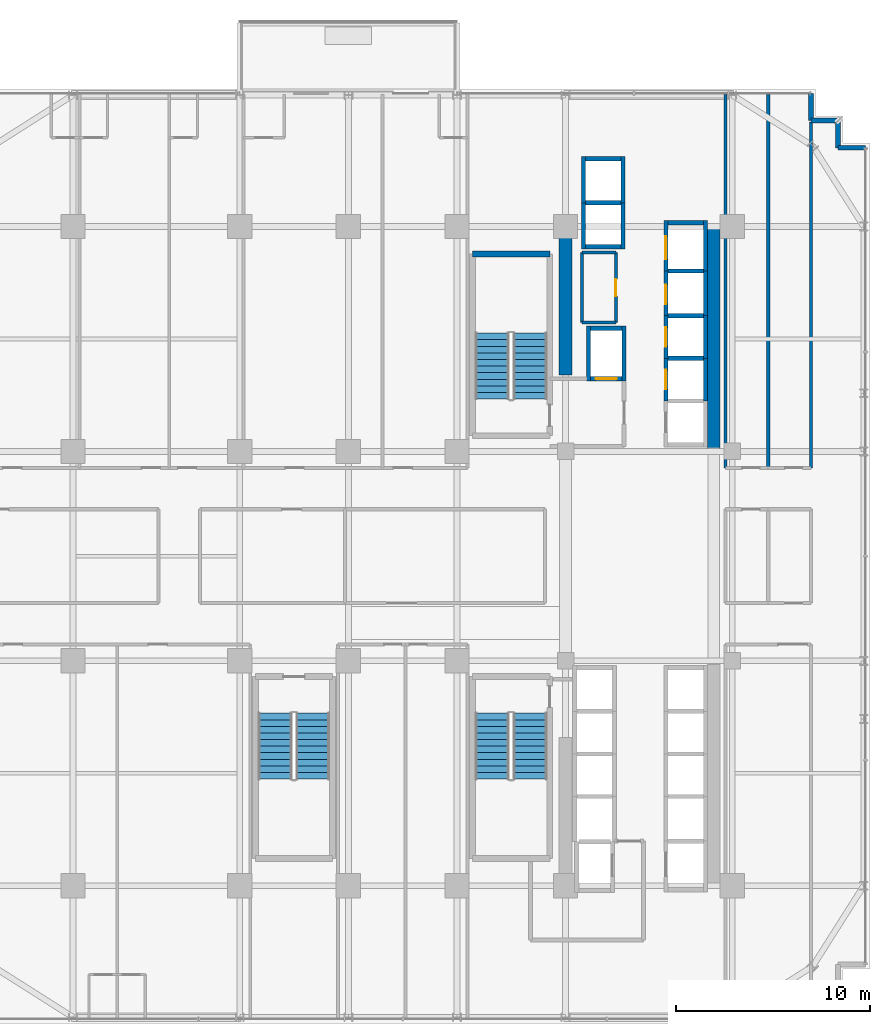
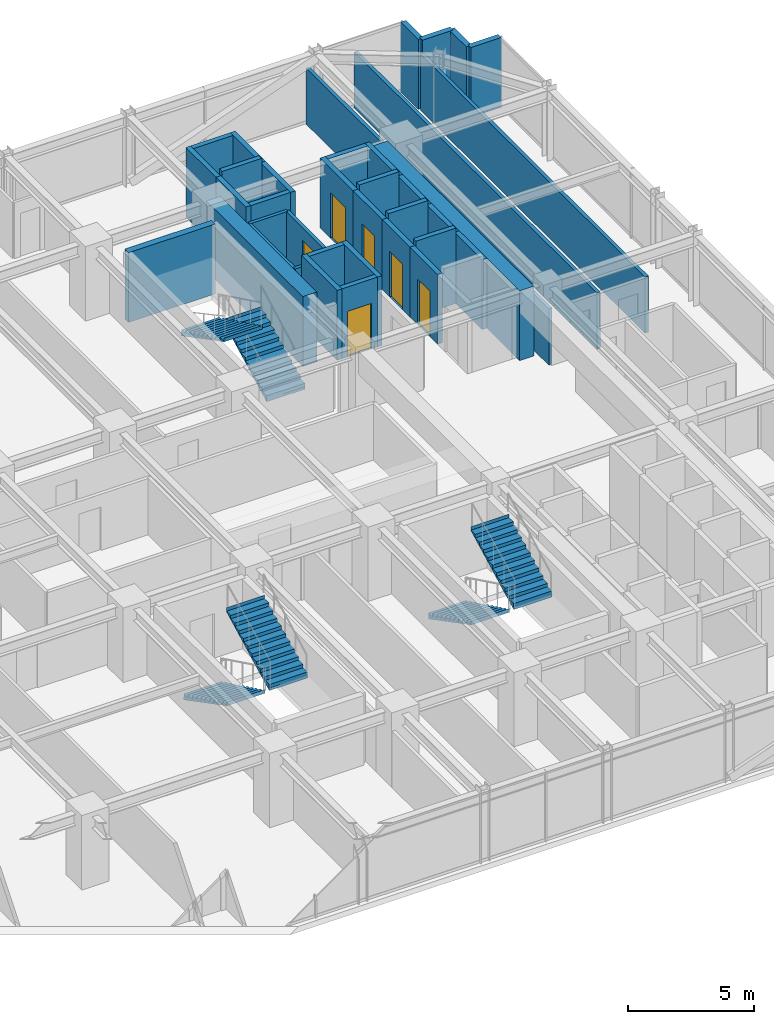
# One storey, part 35 of 40: 37 walls, 6 doors, 6 stair flights, 6 openings, 3 elements without a shape of their own.
"""IFC4 building model written with IfcOpenShell, lengths in metres."""

from ifc_helpers import new_model, si_unit, direction, frame, frame_2d, origin, place, context, subcontext, project, spatial, polyline, rectangle, outline, extrude, source, transform, mapped, material, layer, layer_set, type_object, element, fill, aggregate, save


model = new_model("IFC4")

# Units and contexts
model_context = context("Model", 3, precision=1e-05, world=origin(), true_north=direction((0.0, 1.0)))
body_context = subcontext(model_context, "Body", "Model", "MODEL_VIEW")
ifc_project = project(units=[si_unit("LENGTHUNIT", "METRE"), si_unit("AREAUNIT", "SQUARE_METRE"), si_unit("VOLUMEUNIT", "CUBIC_METRE"), si_unit("PLANEANGLEUNIT", "RADIAN"), si_unit("MASSUNIT", "GRAM", prefix="KILO")], contexts=[model_context])

# Site, building, storey
site_placement = place(None, origin())
site = spatial("IfcSite", under=ifc_project, at=site_placement, CompositionType="ELEMENT")
building_placement = place(site_placement, origin())
building = spatial("IfcBuilding", under=site, at=building_placement, Name="Nahalor Promenade Grand Hotel", CompositionType="ELEMENT")
storey_placement = place(building_placement, frame((0.0, 0.0, 91.949951171875)))
storey = spatial("IfcBuildingStorey", under=building, at=storey_placement, Name="L22", CompositionType="ELEMENT", Elevation=91.949951171875)

# Walls
ifc_material_1 = material(Name="Concrete B-60 (C50/60)", Category="concrete")
ifc_layer_1 = layer(ifc_material_1, 0.64990234375)
ifc_layer_set_1 = layer_set([ifc_layer_1], Name="Concrete B-60 (C50/60)")
wall_type_1 = type_object("IfcWallType", Name="Wall-CoreShear-650", PredefinedType="SHEAR", material=ifc_layer_set_1)
shared_shape_1 = source(origin(), body_context, "Body", "SweptSolid", [
    extrude(rectangle(XDim=7.64990234375, YDim=0.64990234375, at=frame_2d((3.824951171875, 0.0))), origin(), (0.0, 0.0, 1.0), 3.380126953125),
])
wall_1_placement = place(storey_placement, frame((8.39990234375, 9.35009765625, 0.0), z_axis=(0.0, 0.0, 1.0), x_axis=(0.0, 1.0, 0.0)))
element("IfcWall", 1, at=wall_1_placement, inside=storey, type_object=wall_type_1, Name="CWALL-L22-NW", PredefinedType="SHEAR", context=body_context, shape_type="MappedRepresentation", body=[
    mapped(shared_shape_1, transform((0.0, 0.0, 0.0), scale=1.0)),
])
shared_shape_2 = source(origin(), body_context, "Body", "SweptSolid", [
    extrude(rectangle(XDim=11.60009765625, YDim=0.64990234375, at=frame_2d((5.800048828125, 0.0))), origin(), (0.0, 0.0, 1.0), 3.380126953125),
])
wall_2_placement = place(storey_placement, frame((16.050048828125, 5.39990234375, 0.0), z_axis=(0.0, 0.0, 1.0), x_axis=(0.0, 1.0, 0.0)))
element("IfcWall", 2, at=wall_2_placement, inside=storey, type_object=wall_type_1, Name="CWALL-L22-NE", PredefinedType="SHEAR", context=body_context, shape_type="MappedRepresentation", body=[
    mapped(shared_shape_2, transform((0.0, 0.0, 0.0), scale=1.0)),
])
ifc_material_2 = material(Name="Concrete B-50 (C40/50)", Category="concrete")
ifc_layer_2 = layer(ifc_material_2, 0.300048828125)
ifc_layer_set_2 = layer_set([ifc_layer_2], Name="Concrete B-50 (C40/50)")
wall_type_2 = type_object("IfcWallType", Name="Wall-ShaftShear-300", PredefinedType="SHEAR", material=ifc_layer_set_2)
shared_shape_3 = source(origin(), body_context, "Body", "SweptSolid", [
    extrude(rectangle(XDim=3.97998046875, YDim=0.300048828125, at=frame_2d((1.989990234375, 0.0))), origin(), (0.0, 0.0, 1.0), 3.380126953125),
])
wall_3_placement = place(storey_placement, frame((3.610107421875, 15.590087890625, 0.0), z_axis=(0.0, 0.0, 1.0), x_axis=(1.0, 0.0, 0.0)))
element("IfcWall", 3, at=wall_3_placement, inside=storey, type_object=wall_type_2, Name="L22 Exit Stair ST1 Shaft Wall N", PredefinedType="SHEAR", context=body_context, shape_type="MappedRepresentation", body=[
    mapped(shared_shape_3, transform((0.0, 0.0, 0.0), scale=1.0)),
])
ifc_layer_3 = layer(ifc_material_2, 0.219970703125)
ifc_layer_set_3 = layer_set([ifc_layer_3], Name="Concrete B-50 (C40/50)")
wall_type_3 = type_object("IfcWallType", Name="Wall-LiftShaft-220", PredefinedType="SHEAR", material=ifc_layer_set_3)
shared_shape_4 = source(origin(), body_context, "Body", "SweptSolid", [
    extrude(rectangle(XDim=1.820068359375, YDim=0.219970703125, at=frame_2d((0.91015625, 0.0))), origin(), (0.0, 0.0, 1.0), 3.650146484375),
])
for number, where, z_axis, x_axis, name in (
    (4, (13.68994140625, 10.199951171875, 0.0), (0.0, 0.0, 1.0), (1.0, 0.0, 0.0), "L22 Lift PL2 Hoistway Wall N"),
    (5, (13.68994140625, 12.39990234375, 0.0), (0.0, 0.0, 1.0), (1.0, 0.0, 0.0), "L22 Lift PL3 Hoistway Wall N"),
    (6, (13.68994140625, 14.699951171875, 0.0), (0.0, 0.0, 1.0), (1.0, 0.0, 0.0), "L22 Lift PL4 Hoistway Wall N"),
    (7, (9.43994140625, 18.22509765625, 0.0), (0.0, 0.0, 1.0), (1.0, 0.0, 0.0), "L22 Lift OB1 Hoistway Wall N"),
):
    element("IfcWall", number, at=place(storey_placement, frame(where, z_axis=z_axis, x_axis=x_axis)), inside=storey, type_object=wall_type_3, Name=name, PredefinedType="SHEAR", context=body_context, shape_type="MappedRepresentation", body=[
        mapped(shared_shape_4, transform((0.0, 0.0, 0.0), scale=1.0)),
    ])
shared_shape_5 = source(origin(), body_context, "Body", "SweptSolid", [
    extrude(rectangle(XDim=1.820068359375, YDim=0.219970703125, at=frame_2d((0.91015625, 0.0))), origin(), (0.0, 0.0, 1.0), 3.380126953125),
])
for number, where, z_axis, x_axis, name in (
    (8, (9.43994140625, 15.949951171875, 0.0), (0.0, 0.0, 1.0), (1.0, 0.0, 0.0), "L22 Lift OB1 Hoistway Wall S"),
    (9, (9.43994140625, 20.5, 0.0), (0.0, 0.0, 1.0), (1.0, 0.0, 0.0), "L22 Lift OB2 Hoistway Wall N"),
    (10, (13.68994140625, 17.199951171875, 0.0), (0.0, 0.0, 1.0), (1.0, 0.0, 0.0), "L22 Lift SV1 Hoistway Wall N"),
):
    element("IfcWall", number, at=place(storey_placement, frame(where, z_axis=z_axis, x_axis=x_axis)), inside=storey, type_object=wall_type_3, Name=name, PredefinedType="SHEAR", context=body_context, shape_type="MappedRepresentation", body=[
        mapped(shared_shape_5, transform((0.0, 0.0, 0.0), scale=1.0)),
    ])

# Wall, opening, door
shared_shape_6 = source(origin(), body_context, "Body", "SweptSolid", [
    extrude(rectangle(XDim=2.199951171875, YDim=0.219970703125, at=frame_2d((1.10009765625, 0.0))), origin(), (0.0, 0.0, 1.0), 3.380126953125),
])
wall_4_placement = place(storey_placement, frame((13.580078125, 8.0, 0.0), z_axis=(0.0, 0.0, 1.0), x_axis=(0.0, 1.0, 0.0)))
wall_4 = element("IfcWall", 11, at=wall_4_placement, inside=storey, type_object=wall_type_3, Name="L22 Lift PL2 Hoistway Wall W", PredefinedType="SHEAR", context=body_context, shape_type="MappedRepresentation", body=[
    mapped(shared_shape_6, transform((0.0, 0.0, 0.0), scale=1.0)),
])
opening_1_placement = place(wall_4_placement, frame((0.60009765625, 0.0, 0.0)))
opening_1 = element("IfcOpeningElement", 12, at=opening_1_placement, cuts=wall_4, Name="Opening LD-01", PredefinedType="OPENING", context=body_context, shape_type="SweptSolid", body=[
    extrude(rectangle(XDim=1.0, YDim=2.199951171875, at=frame_2d((0.5, 1.10009765625))), frame((0.0, 0.119873046875, 0.0), z_axis=(0.0, -1.0, 0.0), x_axis=(1.0, 0.0, 0.0)), (0.0, 0.0, 1.0), 0.239990234375),
])
ifc_material_3 = material(Name="Steel S355JR", Category="steel")
door_type_1 = type_object("IfcDoorType", Name="Door-LiftLanding-1000", OperationType="DOUBLE_DOOR_SLIDING", PredefinedType="DOOR", material=ifc_material_3)
shared_shape_7 = source(origin(), body_context, "Body", "SweptSolid", [
    extrude(rectangle(XDim=1.0, YDim=2.199951171875, at=frame_2d((0.5, 1.10009765625))), frame((0.0, 0.02490234375, 0.0), z_axis=(0.0, -1.0, 0.0), x_axis=(1.0, 0.0, 0.0)), (0.0, 0.0, 1.0), 0.050048828125),
])
door_1_placement = place(opening_1_placement, origin())
door_1 = element("IfcDoor", 13, at=door_1_placement, inside=storey, type_object=door_type_1, Name="DR-LIFT-PL2-L22", OperationType="DOUBLE_DOOR_SLIDING", OverallHeight=2.199951171875, OverallWidth=1.0, PredefinedType="DOOR", context=body_context, shape_type="MappedRepresentation", body=[
    mapped(shared_shape_7, transform((0.0, 0.0, 0.0), scale=1.0)),
])
fill(opening_1, door_1)

# Wall
wall_5_placement = place(storey_placement, frame((15.6201171875, 8.0, 0.0), z_axis=(0.0, 0.0, 1.0), x_axis=(0.0, 1.0, 0.0)))
element("IfcWall", 14, at=wall_5_placement, inside=storey, type_object=wall_type_3, Name="L22 Lift PL2 Hoistway Wall E", PredefinedType="SHEAR", context=body_context, shape_type="MappedRepresentation", body=[
    mapped(shared_shape_6, transform((0.0, 0.0, 0.0), scale=1.0)),
])

# Wall, opening, door
wall_6_placement = place(storey_placement, frame((13.580078125, 10.199951171875, 0.0), z_axis=(0.0, 0.0, 1.0), x_axis=(0.0, 1.0, 0.0)))
wall_6 = element("IfcWall", 15, at=wall_6_placement, inside=storey, type_object=wall_type_3, Name="L22 Lift PL3 Hoistway Wall W", PredefinedType="SHEAR", context=body_context, shape_type="MappedRepresentation", body=[
    mapped(shared_shape_6, transform((0.0, 0.0, 0.0), scale=1.0)),
])
opening_2_placement = place(wall_6_placement, frame((0.60009765625, 0.0, 0.0)))
opening_2 = element("IfcOpeningElement", 16, at=opening_2_placement, cuts=wall_6, Name="Opening LD-01", PredefinedType="OPENING", context=body_context, shape_type="SweptSolid", body=[
    extrude(rectangle(XDim=1.0, YDim=2.199951171875, at=frame_2d((0.5, 1.10009765625))), frame((0.0, 0.119873046875, 0.0), z_axis=(0.0, -1.0, 0.0), x_axis=(1.0, 0.0, 0.0)), (0.0, 0.0, 1.0), 0.239990234375),
])
door_2_placement = place(opening_2_placement, origin())
door_2 = element("IfcDoor", 17, at=door_2_placement, inside=storey, type_object=door_type_1, Name="DR-LIFT-PL3-L22", OperationType="DOUBLE_DOOR_SLIDING", OverallHeight=2.199951171875, OverallWidth=1.0, PredefinedType="DOOR", context=body_context, shape_type="MappedRepresentation", body=[
    mapped(shared_shape_7, transform((0.0, 0.0, 0.0), scale=1.0)),
])
fill(opening_2, door_2)

# Wall
wall_7_placement = place(storey_placement, frame((15.6201171875, 10.199951171875, 0.0), z_axis=(0.0, 0.0, 1.0), x_axis=(0.0, 1.0, 0.0)))
element("IfcWall", 18, at=wall_7_placement, inside=storey, type_object=wall_type_3, Name="L22 Lift PL3 Hoistway Wall E", PredefinedType="SHEAR", context=body_context, shape_type="MappedRepresentation", body=[
    mapped(shared_shape_6, transform((0.0, 0.0, 0.0), scale=1.0)),
])

# Wall, opening, door
shared_shape_8 = source(origin(), body_context, "Body", "SweptSolid", [
    extrude(rectangle(XDim=2.300048828125, YDim=0.219970703125, at=frame_2d((1.14990234375, 0.0))), origin(), (0.0, 0.0, 1.0), 3.380126953125),
])
wall_8_placement = place(storey_placement, frame((13.580078125, 12.39990234375, 0.0), z_axis=(0.0, 0.0, 1.0), x_axis=(0.0, 1.0, 0.0)))
wall_8 = element("IfcWall", 19, at=wall_8_placement, inside=storey, type_object=wall_type_3, Name="L22 Lift PL4 Hoistway Wall W", PredefinedType="SHEAR", context=body_context, shape_type="MappedRepresentation", body=[
    mapped(shared_shape_8, transform((0.0, 0.0, 0.0), scale=1.0)),
])
opening_3_placement = place(wall_8_placement, frame((0.60009765625, 0.0, 0.0)))
opening_3 = element("IfcOpeningElement", 20, at=opening_3_placement, cuts=wall_8, Name="Opening LD-01", PredefinedType="OPENING", context=body_context, shape_type="SweptSolid", body=[
    extrude(rectangle(XDim=1.0, YDim=2.199951171875, at=frame_2d((0.5, 1.10009765625))), frame((0.0, 0.119873046875, 0.0), z_axis=(0.0, -1.0, 0.0), x_axis=(1.0, 0.0, 0.0)), (0.0, 0.0, 1.0), 0.239990234375),
])
door_3_placement = place(opening_3_placement, origin())
door_3 = element("IfcDoor", 21, at=door_3_placement, inside=storey, type_object=door_type_1, Name="DR-LIFT-PL4-L22", OperationType="DOUBLE_DOOR_SLIDING", OverallHeight=2.199951171875, OverallWidth=1.0, PredefinedType="DOOR", context=body_context, shape_type="MappedRepresentation", body=[
    mapped(shared_shape_7, transform((0.0, 0.0, 0.0), scale=1.0)),
])
fill(opening_3, door_3)

# Walls
wall_9_placement = place(storey_placement, frame((15.6201171875, 12.39990234375, 0.0), z_axis=(0.0, 0.0, 1.0), x_axis=(0.0, 1.0, 0.0)))
element("IfcWall", 22, at=wall_9_placement, inside=storey, type_object=wall_type_3, Name="L22 Lift PL4 Hoistway Wall E", PredefinedType="SHEAR", context=body_context, shape_type="MappedRepresentation", body=[
    mapped(shared_shape_8, transform((0.0, 0.0, 0.0), scale=1.0)),
])
shared_shape_9 = source(origin(), body_context, "Body", "SweptSolid", [
    extrude(rectangle(XDim=2.385009765625, YDim=0.219970703125, at=frame_2d((1.1923828125, 0.0))), origin(), (0.0, 0.0, 1.0), 3.380126953125),
])
for number, where, z_axis, x_axis, name in (
    (23, (9.330078125, 15.840087890625, 0.0), (0.0, 0.0, 1.0), (0.0, 1.0, 0.0), "L22 Lift OB1 Hoistway Wall W"),
    (24, (11.3701171875, 15.840087890625, 0.0), (0.0, 0.0, 1.0), (0.0, 1.0, 0.0), "L22 Lift OB1 Hoistway Wall E"),
    (25, (9.330078125, 18.22509765625, 0.0), (0.0, 0.0, 1.0), (0.0, 1.0, 0.0), "L22 Lift OB2 Hoistway Wall W"),
    (26, (11.3701171875, 18.22509765625, 0.0), (0.0, 0.0, 1.0), (0.0, 1.0, 0.0), "L22 Lift OB2 Hoistway Wall E"),
):
    element("IfcWall", number, at=place(storey_placement, frame(where, z_axis=z_axis, x_axis=x_axis)), inside=storey, type_object=wall_type_3, Name=name, PredefinedType="SHEAR", context=body_context, shape_type="MappedRepresentation", body=[
        mapped(shared_shape_9, transform((0.0, 0.0, 0.0), scale=1.0)),
    ])
shared_shape_10 = source(origin(), body_context, "Body", "SweptSolid", [
    extrude(rectangle(XDim=2.820068359375, YDim=0.219970703125, at=frame_2d((1.41015625, 0.0))), origin(), (0.0, 0.0, 1.0), 3.380126953125),
])
for number, where, z_axis, x_axis, name in (
    (27, (9.580078125, 9.0400390625, 0.0), (0.0, 0.0, 1.0), (0.0, 1.0, 0.0), "L22 Lift FL1 Hoistway Wall W"),
    (28, (11.419921875, 9.0400390625, 0.0), (0.0, 0.0, 1.0), (0.0, 1.0, 0.0), "L22 Lift FL1 Hoistway Wall E"),
):
    element("IfcWall", number, at=place(storey_placement, frame(where, z_axis=z_axis, x_axis=x_axis)), inside=storey, type_object=wall_type_3, Name=name, PredefinedType="SHEAR", context=body_context, shape_type="MappedRepresentation", body=[
        mapped(shared_shape_10, transform((0.0, 0.0, 0.0), scale=1.0)),
    ])

# Wall, opening, door
shared_shape_11 = source(origin(), body_context, "Body", "SweptSolid", [
    extrude(rectangle(XDim=1.6201171875, YDim=0.219970703125, at=frame_2d((0.81005859375, 0.0))), origin(), (0.0, 0.0, 1.0), 3.380126953125),
])
wall_10_placement = place(storey_placement, frame((9.68994140625, 9.14990234375, 0.0), z_axis=(0.0, 0.0, 1.0), x_axis=(1.0, 0.0, 0.0)))
wall_10 = element("IfcWall", 29, at=wall_10_placement, inside=storey, type_object=wall_type_3, Name="L22 Lift FL1 Hoistway Wall S", PredefinedType="SHEAR", context=body_context, shape_type="MappedRepresentation", body=[
    mapped(shared_shape_11, transform((0.0, 0.0, 0.0), scale=1.0)),
])
opening_4_placement = place(wall_10_placement, frame((0.260009765625, 0.0, 0.0)))
opening_4 = element("IfcOpeningElement", 30, at=opening_4_placement, cuts=wall_10, Name="Opening LD-02", PredefinedType="OPENING", context=body_context, shape_type="SweptSolid", body=[
    extrude(rectangle(XDim=1.10009765625, YDim=2.199951171875, at=frame_2d((0.550048828125, 1.10009765625))), frame((0.0, 0.119873046875, 0.0), z_axis=(0.0, -1.0, 0.0), x_axis=(1.0, 0.0, 0.0)), (0.0, 0.0, 1.0), 0.239990234375),
])
door_type_2 = type_object("IfcDoorType", Name="Door-LiftFF-1100", OperationType="DOUBLE_DOOR_SLIDING", PredefinedType="DOOR", material=ifc_material_3)
shared_shape_12 = source(origin(), body_context, "Body", "SweptSolid", [
    extrude(rectangle(XDim=1.10009765625, YDim=2.199951171875, at=frame_2d((0.550048828125, 1.10009765625))), frame((0.0, 0.02490234375, 0.0), z_axis=(0.0, -1.0, 0.0), x_axis=(1.0, 0.0, 0.0)), (0.0, 0.0, 1.0), 0.050048828125),
])
door_4_placement = place(opening_4_placement, frame((1.10009765625, 0.0, 0.0), z_axis=(0.0, 0.0, 1.0), x_axis=(-1.0, 0.0, 0.0)))
door_4 = element("IfcDoor", 31, at=door_4_placement, inside=storey, type_object=door_type_2, Name="DR-LIFT-FL1-L22", OperationType="DOUBLE_DOOR_SLIDING", OverallHeight=2.199951171875, OverallWidth=1.10009765625, PredefinedType="DOOR", context=body_context, shape_type="MappedRepresentation", body=[
    mapped(shared_shape_12, transform((0.0, 0.0, 0.0), scale=1.0)),
])
fill(opening_4, door_4)

# Wall
wall_11_placement = place(storey_placement, frame((9.68994140625, 11.75, 0.0), z_axis=(0.0, 0.0, 1.0), x_axis=(1.0, 0.0, 0.0)))
element("IfcWall", 32, at=wall_11_placement, inside=storey, type_object=wall_type_3, Name="L22 Lift FL1 Hoistway Wall N", PredefinedType="SHEAR", context=body_context, shape_type="MappedRepresentation", body=[
    mapped(shared_shape_11, transform((0.0, 0.0, 0.0), scale=1.0)),
])

# Wall, opening, door
shared_shape_13 = source(origin(), body_context, "Body", "SweptSolid", [
    extrude(rectangle(XDim=2.610107421875, YDim=0.219970703125, at=frame_2d((1.30517578125, 0.0))), origin(), (0.0, 0.0, 1.0), 3.380126953125),
])
wall_12_placement = place(storey_placement, frame((13.580078125, 14.699951171875, 0.0), z_axis=(0.0, 0.0, 1.0), x_axis=(0.0, 1.0, 0.0)))
wall_12 = element("IfcWall", 33, at=wall_12_placement, inside=storey, type_object=wall_type_3, Name="L22 Lift SV1 Hoistway Wall W", PredefinedType="SHEAR", context=body_context, shape_type="MappedRepresentation", body=[
    mapped(shared_shape_13, transform((0.0, 0.0, 0.0), scale=1.0)),
])
opening_5_placement = place(wall_12_placement, frame((0.60009765625, 0.0, 0.0)))
opening_5 = element("IfcOpeningElement", 34, at=opening_5_placement, cuts=wall_12, Name="Opening LD-03", PredefinedType="OPENING", context=body_context, shape_type="SweptSolid", body=[
    extrude(rectangle(XDim=1.199951171875, YDim=2.199951171875, at=frame_2d((0.60009765625, 1.10009765625))), frame((0.0, 0.119873046875, 0.0), z_axis=(0.0, -1.0, 0.0), x_axis=(1.0, 0.0, 0.0)), (0.0, 0.0, 1.0), 0.239990234375),
])
door_type_3 = type_object("IfcDoorType", Name="Door-LiftService-1200", OperationType="DOUBLE_DOOR_SLIDING", PredefinedType="DOOR", material=ifc_material_3)
shared_shape_14 = source(origin(), body_context, "Body", "SweptSolid", [
    extrude(rectangle(XDim=1.199951171875, YDim=2.199951171875, at=frame_2d((0.60009765625, 1.10009765625))), frame((0.0, 0.02490234375, 0.0), z_axis=(0.0, -1.0, 0.0), x_axis=(1.0, 0.0, 0.0)), (0.0, 0.0, 1.0), 0.050048828125),
])
door_5_placement = place(opening_5_placement, origin())
door_5 = element("IfcDoor", 35, at=door_5_placement, inside=storey, type_object=door_type_3, Name="DR-LIFT-SV1-L22", OperationType="DOUBLE_DOOR_SLIDING", OverallHeight=2.199951171875, OverallWidth=1.199951171875, PredefinedType="DOOR", context=body_context, shape_type="MappedRepresentation", body=[
    mapped(shared_shape_14, transform((0.0, 0.0, 0.0), scale=1.0)),
])
fill(opening_5, door_5)

# Walls
wall_13_placement = place(storey_placement, frame((15.6201171875, 14.699951171875, 0.0), z_axis=(0.0, 0.0, 1.0), x_axis=(0.0, 1.0, 0.0)))
element("IfcWall", 36, at=wall_13_placement, inside=storey, type_object=wall_type_3, Name="L22 Lift SV1 Hoistway Wall E", PredefinedType="SHEAR", context=body_context, shape_type="MappedRepresentation", body=[
    mapped(shared_shape_13, transform((0.0, 0.0, 0.0), scale=1.0)),
])
ifc_material_4 = material(Name="Concrete B-40 (C32/40)", Category="concrete")
ifc_layer_4 = layer(ifc_material_4, 0.25)
ifc_layer_set_4 = layer_set([ifc_layer_4], Name="Concrete B-40 (C32/40)")
wall_type_4 = type_object("IfcWallType", Name="Wall-BronzePier-250", PredefinedType="STANDARD", material=ifc_layer_set_4)
shared_shape_15 = source(origin(), body_context, "Body", "SweptSolid", [
    extrude(rectangle(XDim=1.400146484375, YDim=0.25, at=frame_2d((0.7001953125, 0.0))), origin(), (0.0, 0.0, 1.0), 3.380126953125),
])
for number, where, z_axis, x_axis, name in (
    (37, (22.4599609375, 21.06005859375, 0.0), (0.0, 0.0, 1.0), (1.0, 0.0, 0.0), "W-L22-SR-05"),
    (38, (21.06005859375, 22.4599609375, 0.0), (0.0, 0.0, 1.0), (0.0, 1.0, 0.0), "W-L22-SR-08"),
):
    element("IfcWall", number, at=place(storey_placement, frame(where, z_axis=z_axis, x_axis=x_axis)), inside=storey, type_object=wall_type_4, Name=name, PredefinedType="STANDARD", context=body_context, shape_type="MappedRepresentation", body=[
        mapped(shared_shape_15, transform((0.0, 0.0, 0.0), scale=1.0)),
    ])
shared_shape_16 = source(origin(), body_context, "Body", "SweptSolid", [
    extrude(rectangle(XDim=1.39990234375, YDim=0.25, at=frame_2d((0.699951171875, 0.0))), origin(), (0.0, 0.0, 1.0), 3.380126953125),
])
for number, where, z_axis, x_axis, name in (
    (39, (22.4599609375, 21.06005859375, 0.0), (0.0, 0.0, 1.0), (0.0, 1.0, 0.0), "W-L22-SR-06"),
    (40, (21.06005859375, 22.4599609375, 0.0), (0.0, 0.0, 1.0), (1.0, 0.0, 0.0), "W-L22-SR-07"),
):
    element("IfcWall", number, at=place(storey_placement, frame(where, z_axis=z_axis, x_axis=x_axis)), inside=storey, type_object=wall_type_4, Name=name, PredefinedType="STANDARD", context=body_context, shape_type="MappedRepresentation", body=[
        mapped(shared_shape_16, transform((0.0, 0.0, 0.0), scale=1.0)),
    ])
ifc_material_5 = material(Name="Acoustic Mineral Gypsum", Category="gypsum")
ifc_layer_5 = layer(ifc_material_5, 0.14990234375)
ifc_layer_set_5 = layer_set([ifc_layer_5], Name="Acoustic Mineral Gypsum")
wall_type_5 = type_object("IfcWallType", Name="Wall-PartService-150", PredefinedType="PARTITIONING", material=ifc_layer_set_5)
shared_shape_17 = source(origin(), body_context, "Body", "SweptSolid", [
    extrude(rectangle(XDim=1.75, YDim=0.14990234375, at=frame_2d((0.875, 0.0))), origin(), (0.0, 0.0, 1.0), 2.719970703125),
])
for number, where, z_axis, x_axis, name in (
    (41, (9.25, 12.050048828125, 0.0), (0.0, 0.0, 1.0), (1.0, 0.0, 0.0), "W-L22-CK1A-S"),
    (42, (9.25, 15.64990234375, 0.0), (0.0, 0.0, 1.0), (1.0, 0.0, 0.0), "W-L22-CK1A-N"),
):
    element("IfcWall", number, at=place(storey_placement, frame(where, z_axis=z_axis, x_axis=x_axis)), inside=storey, type_object=wall_type_5, Name=name, PredefinedType="PARTITIONING", context=body_context, shape_type="MappedRepresentation", body=[
        mapped(shared_shape_17, transform((0.0, 0.0, 0.0), scale=1.0)),
    ])
ifc_layer_6 = layer(ifc_material_5, 0.159912109375)
ifc_layer_set_6 = layer_set([ifc_layer_6], Name="Acoustic Mineral Gypsum")
wall_type_6 = type_object("IfcWallType", Name="Wall-PartCorridor-160", PredefinedType="PARTITIONING", material=ifc_layer_set_6)
shared_shape_18 = source(origin(), body_context, "Body", "SweptSolid", [
    extrude(rectangle(XDim=19.25, YDim=0.159912109375, at=frame_2d((9.625, 0.0))), origin(), (0.0, 0.0, 1.0), 2.719970703125),
])
for number, where, z_axis, x_axis, name in (
    (43, (16.64990234375, 4.550048828125, 0.0), (0.0, 0.0, 1.0), (0.0, 1.0, 0.0), "W-L22-ENE1-W"),
    (44, (18.85498046875, 4.550048828125, 0.0), (0.0, 0.0, 1.0), (0.0, 1.0, 0.0), "W-L22-ENE1-E"),
):
    element("IfcWall", number, at=place(storey_placement, frame(where, z_axis=z_axis, x_axis=x_axis)), inside=storey, type_object=wall_type_6, Name=name, PredefinedType="PARTITIONING", context=body_context, shape_type="MappedRepresentation", body=[
        mapped(shared_shape_18, transform((0.0, 0.0, 0.0), scale=1.0)),
    ])
shared_shape_19 = source(origin(), body_context, "Body", "SweptSolid", [
    extrude(rectangle(XDim=17.829833984375, YDim=0.159912109375, at=frame_2d((8.9150390625, 0.0))), origin(), (0.0, 0.0, 1.0), 2.719970703125),
])
wall_14_placement = place(storey_placement, frame((21.06005859375, 4.550048828125, 0.0), z_axis=(0.0, 0.0, 1.0), x_axis=(0.0, 1.0, 0.0)))
element("IfcWall", 45, at=wall_14_placement, inside=storey, type_object=wall_type_6, Name="W-L22-ENE2-E", PredefinedType="PARTITIONING", context=body_context, shape_type="MappedRepresentation", body=[
    mapped(shared_shape_19, transform((0.0, 0.0, 0.0), scale=1.0)),
])
shared_shape_20 = source(origin(), body_context, "Body", "SweptSolid", [
    extrude(rectangle(XDim=3.599853515625, YDim=0.14990234375, at=frame_2d((1.7998046875, 0.0))), origin(), (0.0, 0.0, 1.0), 2.719970703125),
])
wall_15_placement = place(storey_placement, frame((9.25, 12.050048828125, 0.0), z_axis=(0.0, 0.0, 1.0), x_axis=(0.0, 1.0, 0.0)))
element("IfcWall", 46, at=wall_15_placement, inside=storey, type_object=wall_type_5, Name="W-L22-CK1A-W", PredefinedType="PARTITIONING", context=body_context, shape_type="MappedRepresentation", body=[
    mapped(shared_shape_20, transform((0.0, 0.0, 0.0), scale=1.0)),
])

# Wall, opening, door
wall_16_placement = place(storey_placement, frame((11.0, 12.050048828125, 0.0), z_axis=(0.0, 0.0, 1.0), x_axis=(0.0, 1.0, 0.0)))
wall_16 = element("IfcWall", 47, at=wall_16_placement, inside=storey, type_object=wall_type_5, Name="W-L22-CK1A-E", PredefinedType="PARTITIONING", context=body_context, shape_type="MappedRepresentation", body=[
    mapped(shared_shape_20, transform((0.0, 0.0, 0.0), scale=1.0)),
])
opening_6_placement = place(wall_16_placement, frame((1.360107421875, 0.0, 0.0)))
opening_6 = element("IfcOpeningElement", 48, at=opening_6_placement, cuts=wall_16, Name="Opening D-03", PredefinedType="OPENING", context=body_context, shape_type="SweptSolid", body=[
    extrude(rectangle(XDim=0.8798828125, YDim=2.10009765625, at=frame_2d((0.43994140625, 1.050048828125))), frame((0.0, 0.0849609375, 0.0), z_axis=(0.0, -1.0, 0.0), x_axis=(1.0, 0.0, 0.0)), (0.0, 0.0, 1.0), 0.169921875),
])
ifc_material_6 = material(Name="Fire-Rated Timber Composite", Category="wood")
door_type_4 = type_object("IfcDoorType", Name="Door-BathSwing-880", OperationType="NOTDEFINED", PredefinedType="DOOR", material=ifc_material_6)
shared_shape_21 = source(origin(), body_context, "Body", "SweptSolid", [
    extrude(rectangle(XDim=0.8798828125, YDim=2.10009765625, at=frame_2d((0.43994140625, 1.050048828125))), frame((0.0, 0.02490234375, 0.0), z_axis=(0.0, -1.0, 0.0), x_axis=(1.0, 0.0, 0.0)), (0.0, 0.0, 1.0), 0.050048828125),
])
door_6_placement = place(opening_6_placement, origin())
door_6 = element("IfcDoor", 49, at=door_6_placement, inside=storey, type_object=door_type_4, Name="DR-L22-CK1A", OperationType="SINGLE_SWING_RIGHT", OverallHeight=2.10009765625, OverallWidth=0.8798828125, PredefinedType="DOOR", context=body_context, shape_type="MappedRepresentation", body=[
    mapped(shared_shape_21, transform((0.0, 0.0, 0.0), scale=1.0)),
])
fill(opening_6, door_6)

# Stair, stair flights
stair_type_1 = type_object("IfcStairType", Name="Stair-ST1", PredefinedType="HALF_TURN_STAIR", material=ifc_material_2)
stair_1_placement = place(storey_placement, origin())
stair_1 = element("IfcStair", 50, at=stair_1_placement, inside=storey, type_object=stair_type_1, Name="L22 ST1", PredefinedType="HALF_TURN_STAIR")
ifc_layer_7 = layer(ifc_material_2, 0.179931640625)
ifc_layer_set_7 = layer_set([ifc_layer_7], Name="Concrete B-50 (C40/50)")
stair_flight_type_1 = type_object("IfcStairFlightType", Name="Flight-ST1", PredefinedType="STRAIGHT", material=ifc_layer_set_7)
shared_shape_22 = source(origin(), body_context, "Body", "SweptSolid", [
    extrude(outline(polyline([(-0.00390625, -0.1201171875), (-0.00390625, 0.0), (0.0, 0.0), (0.0, 0.166015625), (0.340087890625, 0.166015625), (0.340087890625, 0.331787109375), (0.679931640625, 0.331787109375), (0.679931640625, 0.497802734375), (1.02001953125, 0.497802734375), (1.02001953125, 0.66357421875), (1.360107421875, 0.66357421875), (1.360107421875, 0.82958984375), (1.699951171875, 0.82958984375), (1.699951171875, 0.995361328125), (2.0400390625, 0.995361328125), (2.0400390625, 1.161376953125), (2.3798828125, 1.161376953125), (2.3798828125, 1.327392578125), (2.719970703125, 1.327392578125), (2.719970703125, 1.4931640625), (3.06005859375, 1.4931640625), (3.06005859375, 1.6591796875), (3.39990234375, 1.6591796875), (3.39990234375, 1.824951171875), (3.404052734375, 1.824951171875), (3.404052734375, 1.64501953125), (0.02001953125, -0.1201171875), (-0.00390625, -0.1201171875)])), frame((0.0, 0.875, 0.0), z_axis=(0.0, -1.0, 0.0), x_axis=(1.0, 0.0, 0.0)), (0.0, 0.0, 1.0), 1.75),
])
stair_flight_1_placement = place(storey_placement, frame((6.574951171875, 8.10009765625, 0.0), z_axis=(0.0, 0.0, 1.0), x_axis=(0.0, 1.0, 0.0)))
stair_flight_1 = element("IfcStairFlight", 51, at=stair_flight_1_placement, type_object=stair_flight_type_1, Name="ST1 flight 1", NumberOfRisers=11, NumberOfTreads=10, PredefinedType="STRAIGHT", RiserHeight=0.165909091, TreadLength=0.34, context=body_context, shape_type="MappedRepresentation", body=[
    mapped(shared_shape_22, transform((0.0, 0.0, 0.0), scale=1.0)),
])
stair_flight_2_placement = place(storey_placement, frame((4.625, 11.5, 1.824951171875), z_axis=(0.0, 0.0, 1.0), x_axis=(0.0, -1.0, 0.0)))
stair_flight_2 = element("IfcStairFlight", 52, at=stair_flight_2_placement, type_object=stair_flight_type_1, Name="ST1 flight 2", NumberOfRisers=11, NumberOfTreads=10, PredefinedType="STRAIGHT", RiserHeight=0.165909091, TreadLength=0.34, context=body_context, shape_type="MappedRepresentation", body=[
    mapped(shared_shape_22, transform((0.0, 0.0, 0.0), scale=1.0)),
])
aggregate(stair_1, [stair_flight_1, stair_flight_2])

stair_type_2 = type_object("IfcStairType", Name="Stair-ST2", PredefinedType="HALF_TURN_STAIR", material=ifc_material_2)
stair_2_placement = place(storey_placement, origin())
stair_2 = element("IfcStair", 53, at=stair_2_placement, inside=storey, type_object=stair_type_2, Name="L22 ST2", PredefinedType="HALF_TURN_STAIR")
ifc_layer_8 = layer(ifc_material_2, 0.18994140625)
ifc_layer_set_8 = layer_set([ifc_layer_8], Name="Concrete B-50 (C40/50)")
stair_flight_type_2 = type_object("IfcStairFlightType", Name="Flight-ST2", PredefinedType="STRAIGHT", material=ifc_layer_set_8)
shared_shape_23 = source(origin(), body_context, "Body", "SweptSolid", [
    extrude(outline(polyline([(-0.00390625, -0.1201171875), (-0.00390625, 0.0), (0.0, 0.0), (0.0, 0.166015625), (0.340087890625, 0.166015625), (0.340087890625, 0.331787109375), (0.679931640625, 0.331787109375), (0.679931640625, 0.497802734375), (1.02001953125, 0.497802734375), (1.02001953125, 0.66357421875), (1.360107421875, 0.66357421875), (1.360107421875, 0.82958984375), (1.699951171875, 0.82958984375), (1.699951171875, 0.995361328125), (2.0400390625, 0.995361328125), (2.0400390625, 1.161376953125), (2.3798828125, 1.161376953125), (2.3798828125, 1.327392578125), (2.719970703125, 1.327392578125), (2.719970703125, 1.4931640625), (3.06005859375, 1.4931640625), (3.06005859375, 1.6591796875), (3.39990234375, 1.6591796875), (3.39990234375, 1.824951171875), (3.404052734375, 1.824951171875), (3.404052734375, 1.64501953125), (0.02001953125, -0.1201171875), (-0.00390625, -0.1201171875)])), frame((0.0, 0.875, 0.0), z_axis=(0.0, -1.0, 0.0), x_axis=(1.0, 0.0, 0.0)), (0.0, 0.0, 1.0), 1.75),
])
stair_flight_3_placement = place(storey_placement, frame((4.625, -8.10009765625, 0.0), z_axis=(0.0, 0.0, 1.0), x_axis=(0.0, -1.0, 0.0)))
stair_flight_3 = element("IfcStairFlight", 54, at=stair_flight_3_placement, type_object=stair_flight_type_2, Name="ST2 flight 1", NumberOfRisers=11, NumberOfTreads=10, PredefinedType="STRAIGHT", RiserHeight=0.165909091, TreadLength=0.34, context=body_context, shape_type="MappedRepresentation", body=[
    mapped(shared_shape_23, transform((0.0, 0.0, 0.0), scale=1.0)),
])
stair_flight_4_placement = place(storey_placement, frame((6.574951171875, -11.5, 1.824951171875), z_axis=(0.0, 0.0, 1.0), x_axis=(0.0, 1.0, 0.0)))
stair_flight_4 = element("IfcStairFlight", 55, at=stair_flight_4_placement, type_object=stair_flight_type_2, Name="ST2 flight 2", NumberOfRisers=11, NumberOfTreads=10, PredefinedType="STRAIGHT", RiserHeight=0.165909091, TreadLength=0.34, context=body_context, shape_type="MappedRepresentation", body=[
    mapped(shared_shape_23, transform((0.0, 0.0, 0.0), scale=1.0)),
])
aggregate(stair_2, [stair_flight_3, stair_flight_4])

stair_type_3 = type_object("IfcStairType", Name="Stair-ST3", PredefinedType="HALF_TURN_STAIR", material=ifc_material_2)
stair_3_placement = place(storey_placement, origin())
stair_3 = element("IfcStair", 56, at=stair_3_placement, inside=storey, type_object=stair_type_3, Name="L22 ST3", PredefinedType="HALF_TURN_STAIR")
ifc_layer_9 = layer(ifc_material_2, 0.199951171875)
ifc_layer_set_9 = layer_set([ifc_layer_9], Name="Concrete B-50 (C40/50)")
stair_flight_type_3 = type_object("IfcStairFlightType", Name="Flight-ST3", PredefinedType="STRAIGHT", material=ifc_layer_set_9)
shared_shape_24 = source(origin(), body_context, "Body", "SweptSolid", [
    extrude(outline(polyline([(-0.00390625, -0.1201171875), (-0.00390625, 0.0), (0.0, 0.0), (0.0, 0.166015625), (0.340087890625, 0.166015625), (0.340087890625, 0.331787109375), (0.679931640625, 0.331787109375), (0.679931640625, 0.497802734375), (1.02001953125, 0.497802734375), (1.02001953125, 0.66357421875), (1.360107421875, 0.66357421875), (1.360107421875, 0.82958984375), (1.699951171875, 0.82958984375), (1.699951171875, 0.995361328125), (2.0400390625, 0.995361328125), (2.0400390625, 1.161376953125), (2.3798828125, 1.161376953125), (2.3798828125, 1.327392578125), (2.719970703125, 1.327392578125), (2.719970703125, 1.4931640625), (3.06005859375, 1.4931640625), (3.06005859375, 1.6591796875), (3.39990234375, 1.6591796875), (3.39990234375, 1.824951171875), (3.404052734375, 1.824951171875), (3.404052734375, 1.64501953125), (0.02001953125, -0.1201171875), (-0.00390625, -0.1201171875)])), frame((0.0, 0.875, 0.0), z_axis=(0.0, -1.0, 0.0), x_axis=(1.0, 0.0, 0.0)), (0.0, 0.0, 1.0), 1.75),
])
stair_flight_5_placement = place(storey_placement, frame((-6.574951171875, -8.10009765625, 0.0), z_axis=(0.0, 0.0, 1.0), x_axis=(0.0, -1.0, 0.0)))
stair_flight_5 = element("IfcStairFlight", 57, at=stair_flight_5_placement, type_object=stair_flight_type_3, Name="ST3 flight 1", NumberOfRisers=11, NumberOfTreads=10, PredefinedType="STRAIGHT", RiserHeight=0.165909091, TreadLength=0.34, context=body_context, shape_type="MappedRepresentation", body=[
    mapped(shared_shape_24, transform((0.0, 0.0, 0.0), scale=1.0)),
])
stair_flight_6_placement = place(storey_placement, frame((-4.625, -11.5, 1.824951171875), z_axis=(0.0, 0.0, 1.0), x_axis=(0.0, 1.0, 0.0)))
stair_flight_6 = element("IfcStairFlight", 58, at=stair_flight_6_placement, type_object=stair_flight_type_3, Name="ST3 flight 2", NumberOfRisers=11, NumberOfTreads=10, PredefinedType="STRAIGHT", RiserHeight=0.165909091, TreadLength=0.34, context=body_context, shape_type="MappedRepresentation", body=[
    mapped(shared_shape_24, transform((0.0, 0.0, 0.0), scale=1.0)),
])
aggregate(stair_3, [stair_flight_5, stair_flight_6])

save(model, "model.ifc")
